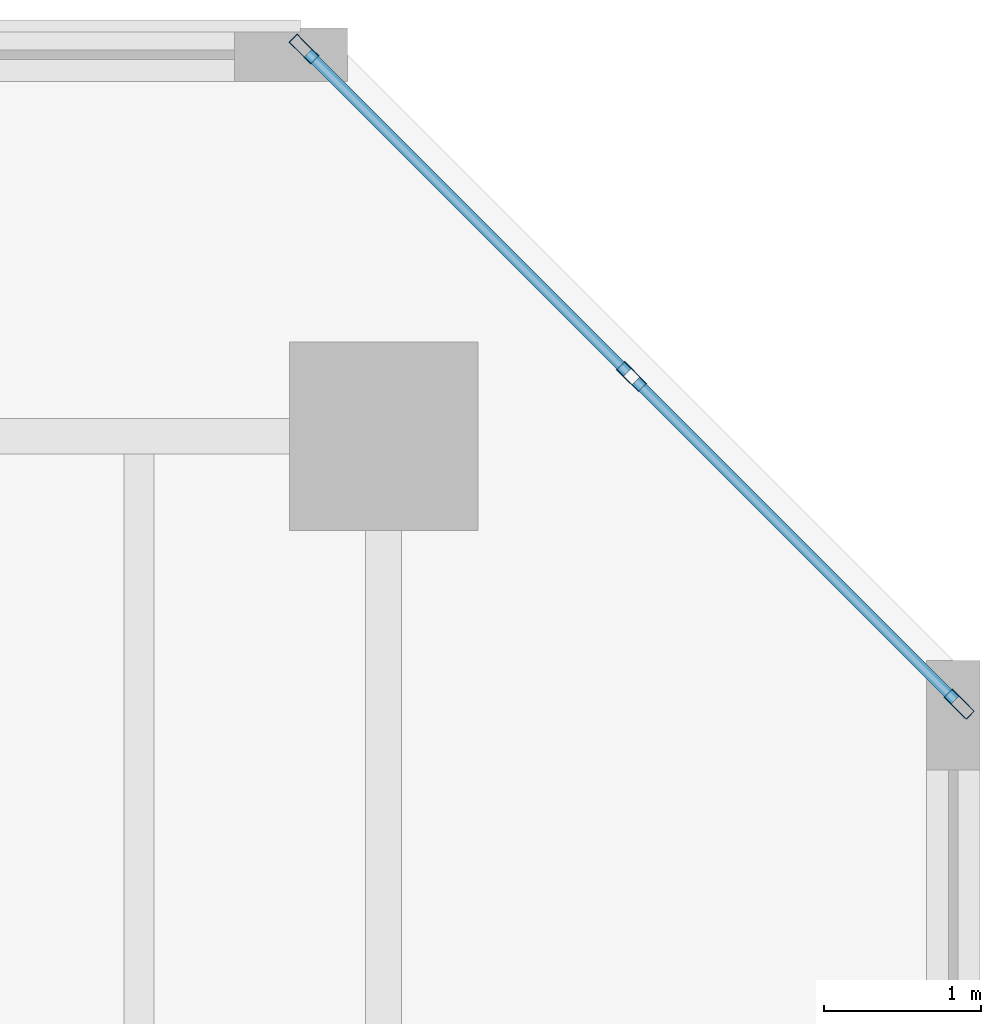
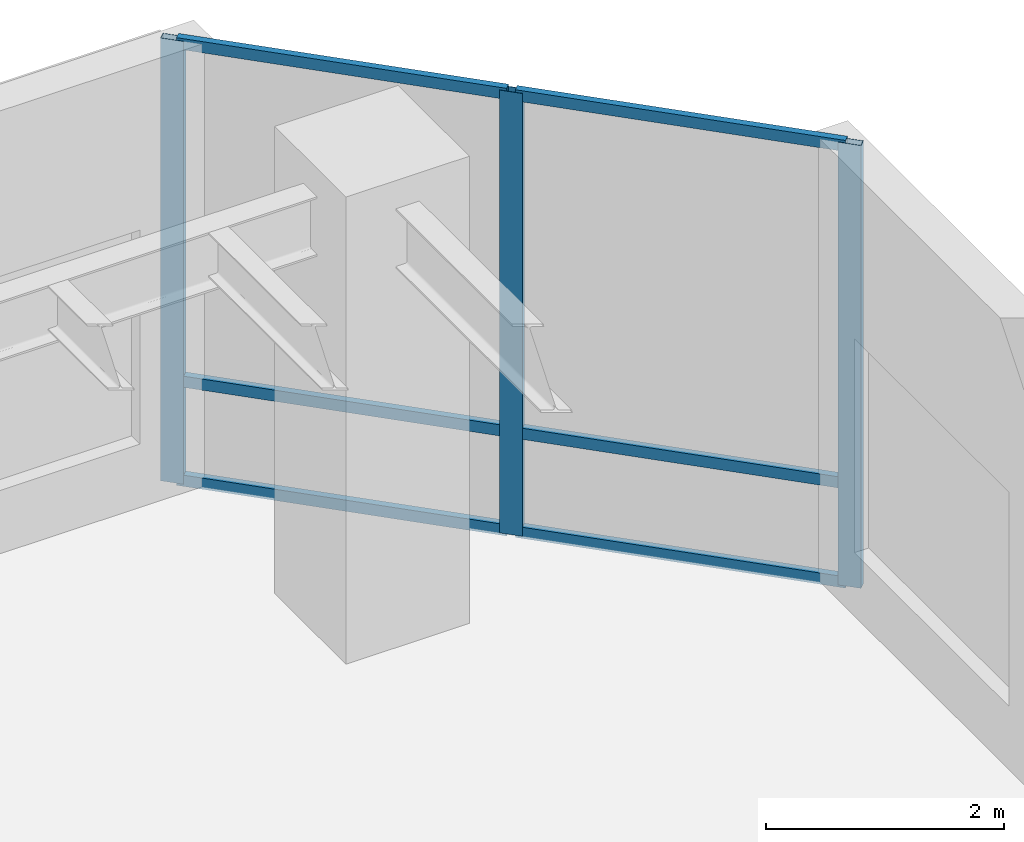
# One storey, part 8 of 17: 9 members, 1 element without a shape of its own.
"""IFC4 building model written with IfcOpenShell, lengths in metres."""

from ifc_helpers import new_model, si_unit, direction, frame, origin, origin_2d, place, context, subcontext, project, spatial, hollow_rectangle, extrude, material, layer, layer_set, material_profile, profile_set, type_object, element, aggregate, save


model = new_model("IFC4")

# Units and contexts
model_context = context("Model", 3, precision=1e-05, world=origin(), true_north=direction((0.0, 1.0)))
body_context = subcontext(model_context, "Body", "Model", "MODEL_VIEW")
ifc_project = project(units=[si_unit("LENGTHUNIT", "METRE"), si_unit("AREAUNIT", "SQUARE_METRE"), si_unit("VOLUMEUNIT", "CUBIC_METRE"), si_unit("PLANEANGLEUNIT", "RADIAN"), si_unit("MASSUNIT", "GRAM", prefix="KILO")], contexts=[model_context])

# Site, building, storey
site_placement = place(None, origin())
site = spatial("IfcSite", under=ifc_project, at=site_placement, CompositionType="ELEMENT")
building_placement = place(site_placement, origin())
building = spatial("IfcBuilding", under=site, at=building_placement, Name="Kestravale Grand Hotel", CompositionType="ELEMENT")
storey_placement = place(building_placement, frame((0.0, 0.0, 129.800048828125)))
storey = spatial("IfcBuildingStorey", under=building, at=storey_placement, Name="L32", CompositionType="ELEMENT", Elevation=129.800048828125)

# Curtain wall, members
ifc_material_1 = material(Name="Thermally broken champagne-bronze aluminium and low-E glazing", Category="aluminium")
ifc_layer = layer(ifc_material_1, 0.199951171875)
ifc_layer_set = layer_set([ifc_layer], Name="CW-Z2")
curtain_wall_type = type_object("IfcCurtainWallType", Name="CW-Z2", PredefinedType="NOTDEFINED", material=ifc_layer_set)
curtain_wall_placement = place(storey_placement, origin())
curtain_wall = element("IfcCurtainWall", 1, at=curtain_wall_placement, inside=storey, type_object=curtain_wall_type, Name="L32 unitised curtain wall 10", PredefinedType="NOTDEFINED")
ifc_material_2 = material(Name="Aluminium 6063-T6 anodised", Category="aluminium")
ifc_material_profile_1 = material_profile(ifc_material_2, hollow_rectangle(XDim=0.074951171875, YDim=0.199951171875, WallThickness=0.00390625, at=origin_2d()))
ifc_profile_set_1 = profile_set([ifc_material_profile_1], Name="Aluminium 6063-T6 anodised")
member_type_1 = type_object("IfcMemberType", Name="CW-MUL-200", PredefinedType="MULLION", material=ifc_profile_set_1)
member_1_placement = place(storey_placement, frame((73.867431640625, 45.4921875, 0.0), z_axis=(0.0, 0.0, 1.0), x_axis=(-0.707106781187, -0.707106781187, 0.0)))
member_1 = element("IfcMember", 2, at=member_1_placement, type_object=member_type_1, Name="CW-Z2 mullion 1", PredefinedType="MULLION", context=body_context, shape_type="SweptSolid", body=[
    extrude(hollow_rectangle(XDim=0.074951171875, YDim=0.199951171875, WallThickness=0.00390625, at=origin_2d()), origin(), (0.0, 0.0, 1.0), 4.550048828125),
])
member_2_placement = place(storey_placement, frame((71.77978515625, 47.579833984375, 0.0), z_axis=(0.0, 0.0, 1.0), x_axis=(-0.707106781187, -0.707106781187, 0.0)))
member_2 = element("IfcMember", 3, at=member_2_placement, type_object=member_type_1, Name="CW-Z2 mullion 2", PredefinedType="MULLION", context=body_context, shape_type="SweptSolid", body=[
    extrude(hollow_rectangle(XDim=0.074951171875, YDim=0.199951171875, WallThickness=0.00390625, at=origin_2d()), origin(), (0.0, 0.0, 1.0), 4.550048828125),
])
member_3_placement = place(storey_placement, frame((69.692138671875, 49.66748046875, 0.0), z_axis=(0.0, 0.0, 1.0), x_axis=(-0.707106781187, -0.707106781187, 0.0)))
member_3 = element("IfcMember", 4, at=member_3_placement, type_object=member_type_1, Name="CW-Z2 mullion 3", PredefinedType="MULLION", context=body_context, shape_type="SweptSolid", body=[
    extrude(hollow_rectangle(XDim=0.074951171875, YDim=0.199951171875, WallThickness=0.00390625, at=origin_2d()), origin(), (0.0, 0.0, 1.0), 4.550048828125),
])
ifc_material_3 = material(Name="Aluminium 6063-T6 anodised", Category="aluminium")
ifc_material_profile_2 = material_profile(ifc_material_3, hollow_rectangle(XDim=0.06494140625, YDim=0.114990234375, WallThickness=0.003173828125, at=origin_2d()))
ifc_profile_set_2 = profile_set([ifc_material_profile_2], Name="Aluminium 6063-T6 anodised")
member_type_2 = type_object("IfcMemberType", Name="CW-TRN-115", PredefinedType="USERDEFINED", material=ifc_profile_set_2)
member_4_placement = place(storey_placement, frame((73.841064453125, 45.5185546875, 0.032470703125), z_axis=(-0.707106781187, 0.707106781187, 0.0), x_axis=(-0.707106781187, -0.707106781187, 0.0)))
member_4 = element("IfcMember", 5, at=member_4_placement, type_object=member_type_2, Name="CW-Z2 transom 1.1", ObjectType="TRANSOM", PredefinedType="USERDEFINED", context=body_context, shape_type="SweptSolid", body=[
    extrude(hollow_rectangle(XDim=0.06494140625, YDim=0.114990234375, WallThickness=0.003173828125, at=origin_2d()), origin(), (0.0, 0.0, 1.0), 2.87744140625),
])
member_5_placement = place(storey_placement, frame((73.841064453125, 45.5185546875, 1.050048828125), z_axis=(-0.707106781187, 0.707106781187, 0.0), x_axis=(-0.707106781187, -0.707106781187, 0.0)))
member_5 = element("IfcMember", 6, at=member_5_placement, type_object=member_type_2, Name="CW-Z2 transom 1.2", ObjectType="TRANSOM", PredefinedType="USERDEFINED", context=body_context, shape_type="SweptSolid", body=[
    extrude(hollow_rectangle(XDim=0.06494140625, YDim=0.114990234375, WallThickness=0.003173828125, at=origin_2d()), origin(), (0.0, 0.0, 1.0), 2.87744140625),
])
member_6_placement = place(storey_placement, frame((73.841064453125, 45.5185546875, 4.517333984375), z_axis=(-0.707106781187, 0.707106781187, 0.0), x_axis=(-0.707106781187, -0.707106781187, 0.0)))
member_6 = element("IfcMember", 7, at=member_6_placement, type_object=member_type_2, Name="CW-Z2 transom 1.3", ObjectType="TRANSOM", PredefinedType="USERDEFINED", context=body_context, shape_type="SweptSolid", body=[
    extrude(hollow_rectangle(XDim=0.06494140625, YDim=0.114990234375, WallThickness=0.003173828125, at=origin_2d()), origin(), (0.0, 0.0, 1.0), 2.87744140625),
])
member_7_placement = place(storey_placement, frame((71.753173828125, 47.606201171875, 0.032470703125), z_axis=(-0.707064354356, 0.707149205472, 0.0), x_axis=(-0.707149205472, -0.707064354356, 0.0)))
member_7 = element("IfcMember", 8, at=member_7_placement, type_object=member_type_2, Name="CW-Z2 transom 2.1", ObjectType="TRANSOM", PredefinedType="USERDEFINED", context=body_context, shape_type="SweptSolid", body=[
    extrude(hollow_rectangle(XDim=0.06494140625, YDim=0.114990234375, WallThickness=0.003173828125, at=origin_2d()), origin(), (0.0, 0.0, 1.0), 2.877197265625),
])
member_8_placement = place(storey_placement, frame((71.753173828125, 47.606201171875, 1.050048828125), z_axis=(-0.707064354356, 0.707149205472, 0.0), x_axis=(-0.707149205472, -0.707064354356, 0.0)))
member_8 = element("IfcMember", 9, at=member_8_placement, type_object=member_type_2, Name="CW-Z2 transom 2.2", ObjectType="TRANSOM", PredefinedType="USERDEFINED", context=body_context, shape_type="SweptSolid", body=[
    extrude(hollow_rectangle(XDim=0.06494140625, YDim=0.114990234375, WallThickness=0.003173828125, at=origin_2d()), origin(), (0.0, 0.0, 1.0), 2.877197265625),
])
member_9_placement = place(storey_placement, frame((71.753173828125, 47.606201171875, 4.517333984375), z_axis=(-0.707064354356, 0.707149205472, 0.0), x_axis=(-0.707149205472, -0.707064354356, 0.0)))
member_9 = element("IfcMember", 10, at=member_9_placement, type_object=member_type_2, Name="CW-Z2 transom 2.3", ObjectType="TRANSOM", PredefinedType="USERDEFINED", context=body_context, shape_type="SweptSolid", body=[
    extrude(hollow_rectangle(XDim=0.06494140625, YDim=0.114990234375, WallThickness=0.003173828125, at=origin_2d()), origin(), (0.0, 0.0, 1.0), 2.877197265625),
])
aggregate(curtain_wall, [member_1, member_2, member_3, member_4, member_5, member_6, member_7, member_8, member_9])

save(model, "model.ifc")
